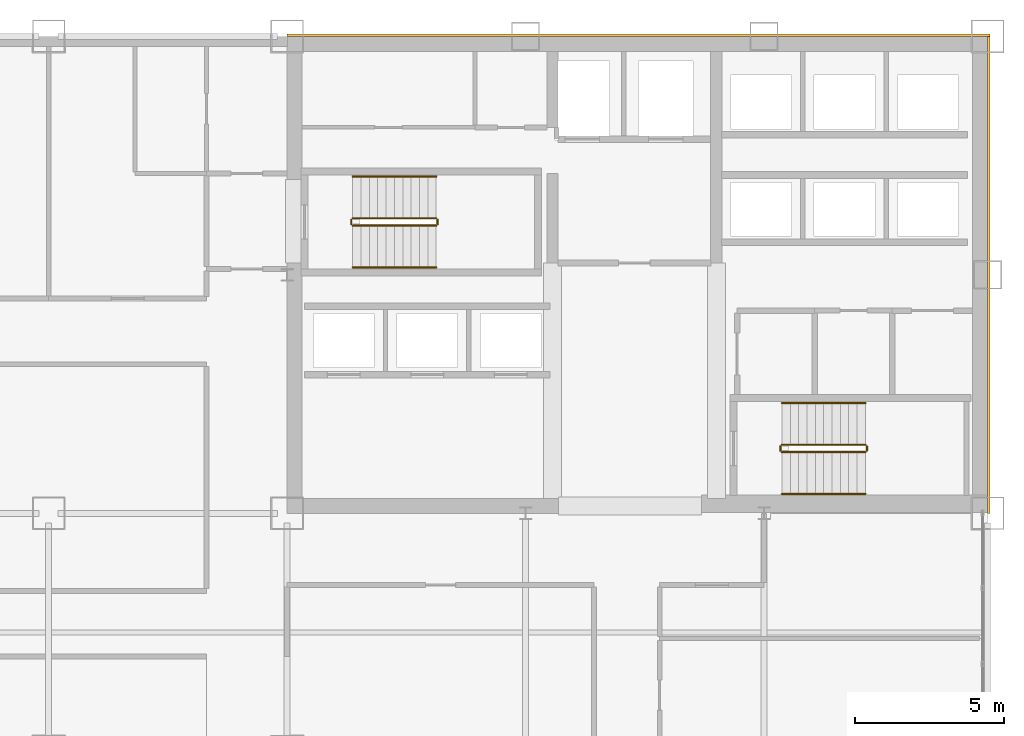
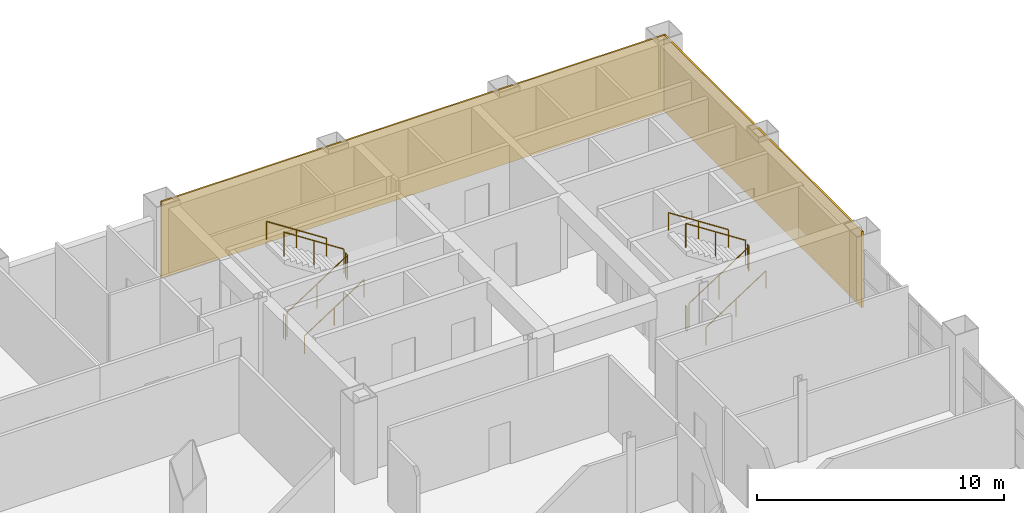
# One storey, part 16 of 16: 12 railings, 2 coverings.
"""IFC4 building model written with IfcOpenShell, lengths in metres."""

from ifc_helpers import new_model, si_unit, direction, frame, origin, origin_2d, place, context, subcontext, project, spatial, rectangle, circle, extrude, material, layer, layer_set, type_object, element, save


model = new_model("IFC4")

# Units and contexts
model_context = context("Model", 3, precision=1e-05, world=origin(), true_north=direction((0.0, 1.0)))
body_context = subcontext(model_context, "Body", "Model", "MODEL_VIEW")
ifc_project = project(units=[si_unit("LENGTHUNIT", "METRE"), si_unit("AREAUNIT", "SQUARE_METRE"), si_unit("VOLUMEUNIT", "CUBIC_METRE"), si_unit("PLANEANGLEUNIT", "RADIAN"), si_unit("MASSUNIT", "GRAM", prefix="KILO")], contexts=[model_context])

# Site, building, storey
site_placement = place(None, origin())
site = spatial("IfcSite", under=ifc_project, at=site_placement, CompositionType="ELEMENT")
building_placement = place(site_placement, origin())
building = spatial("IfcBuilding", under=site, at=building_placement, Name="Qianrong Seaharbour Tower", CompositionType="ELEMENT")
storey_placement = place(building_placement, frame((0.0, 0.0, 127.0)))
storey = spatial("IfcBuildingStorey", under=building, at=storey_placement, Name="L30", CompositionType="ELEMENT", Elevation=127.0)

# Coverings
ifc_material_1 = material(Name="Unitised red brick cladding on Precast concrete C45/55", Category="masonry")
ifc_layer = layer(ifc_material_1, 0.080078125)
ifc_layer_set = layer_set([ifc_layer], Name="Unitised red brick cladding on Precast concrete C45/55")
covering_type = type_object("IfcCoveringType", Name="COV-CLAD-RED-BRICK-80", PredefinedType="CLADDING", material=ifc_layer_set)
covering_1_placement = place(storey_placement, frame((52.2900390625, 52.0400390625, 0.0), z_axis=(0.0, 0.0, 1.0), x_axis=(1.0, 0.0, 0.0)))
element("IfcCovering", 1, at=covering_1_placement, inside=storey, type_object=covering_type, Name="L30 North Core Brick Veneer Cladding", PredefinedType="CLADDING", context=body_context, shape_type="SweptSolid", body=[
    extrude(rectangle(XDim=23.580078125, YDim=0.080078125, at=origin_2d()), origin(), (0.0, 0.0, 1.0), 3.764892578125),
])
covering_2_placement = place(storey_placement, frame((64.0400390625, 44.0, 0.0), z_axis=(0.0, 0.0, 1.0), x_axis=(1.0, 0.0, 0.0)))
element("IfcCovering", 2, at=covering_2_placement, inside=storey, type_object=covering_type, Name="L30 East Core Brick Veneer Cladding", PredefinedType="CLADDING", context=body_context, shape_type="SweptSolid", body=[
    extrude(rectangle(XDim=0.080078125, YDim=16.0, at=origin_2d()), origin(), (0.0, 0.0, 1.0), 3.764892578125),
])

# Railings
ifc_material_2 = material(Name="Galvanized painted steel SN400B stair guard", Category="steel")
railing_type_1 = type_object("IfcRailingType", Name="RAIL-STAIR-GUARD-1220", PredefinedType="GUARDRAIL", material=ifc_material_2)
railing_1_placement = place(storey_placement, frame((42.699951171875, 45.64990234375, 0.181884765625)))
element("IfcRailing", 3, at=railing_1_placement, inside=storey, type_object=railing_type_1, Name="L30 ST-1 stair guard 1", PredefinedType="GUARDRAIL", context=body_context, shape_type="SweptSolid", body=[
    extrude(circle(Radius=0.02392578125, at=origin_2d()), frame((0.0, 0.0, 1.19580078125), z_axis=(0.838705829183, 0.0, 0.544584733623), x_axis=(0.0, 1.0, 0.0)), (0.0, 0.0, 1.0), 3.338623046875),
    extrude(circle(Radius=0.02099609375, at=origin_2d()), origin(), (0.0, 0.0, 1.0), 1.171875),
    extrude(circle(Radius=0.02099609375, at=origin_2d()), frame((1.39990234375, 0.0, 0.9091796875)), (0.0, 0.0, 1.0), 1.171875),
    extrude(circle(Radius=0.02099609375, at=origin_2d()), frame((2.800048828125, 0.0, 1.818115234375)), (0.0, 0.0, 1.0), 1.171875),
])
railing_2_placement = place(storey_placement, frame((45.550048828125, 45.699951171875, 2.0)))
element("IfcRailing", 4, at=railing_2_placement, inside=storey, type_object=railing_type_1, Name="L30 ST-1 stair guard 2", PredefinedType="GUARDRAIL", context=body_context, shape_type="SweptSolid", body=[
    extrude(circle(Radius=0.02392578125, at=origin_2d()), frame((0.0, 0.0, 1.19580078125), z_axis=(0.0, 1.0, 0.0), x_axis=(-1.0, 0.0, 0.0)), (0.0, 0.0, 1.0), 0.150146484375),
    extrude(circle(Radius=0.02099609375, at=origin_2d()), origin(), (0.0, 0.0, 1.0), 1.171875),
    extrude(circle(Radius=0.02099609375, at=origin_2d()), frame((0.0, 0.150146484375, 0.0)), (0.0, 0.0, 1.0), 1.171875),
])
railing_3_placement = place(storey_placement, frame((45.5, 45.89990234375, 2.181884765625)))
element("IfcRailing", 5, at=railing_3_placement, inside=storey, type_object=railing_type_1, Name="L30 ST-1 stair guard 3", PredefinedType="GUARDRAIL", context=body_context, shape_type="SweptSolid", body=[
    extrude(circle(Radius=0.02392578125, at=origin_2d()), frame((0.0, 0.0, 1.19580078125), z_axis=(-0.838705829183, 0.0, 0.544584733623), x_axis=(0.0, -1.0, 0.0)), (0.0, 0.0, 1.0), 3.338623046875),
    extrude(circle(Radius=0.02099609375, at=origin_2d()), origin(), (0.0, 0.0, 1.0), 1.171875),
    extrude(circle(Radius=0.02099609375, at=origin_2d()), frame((-1.39990234375, 0.0, 0.9091796875)), (0.0, 0.0, 1.0), 1.171875),
    extrude(circle(Radius=0.02099609375, at=origin_2d()), frame((-2.800048828125, 0.0, 1.818115234375)), (0.0, 0.0, 1.0), 1.171875),
])
railing_4_placement = place(storey_placement, frame((42.64990234375, 45.699951171875, 0.0)))
element("IfcRailing", 6, at=railing_4_placement, inside=storey, type_object=railing_type_1, Name="L30 ST-1 stair guard 4", PredefinedType="GUARDRAIL", context=body_context, shape_type="SweptSolid", body=[
    extrude(circle(Radius=0.02392578125, at=origin_2d()), frame((0.0, 0.0, 1.19580078125), z_axis=(0.0, 1.0, 0.0), x_axis=(-1.0, 0.0, 0.0)), (0.0, 0.0, 1.0), 0.150146484375),
    extrude(circle(Radius=0.02099609375, at=origin_2d()), origin(), (0.0, 0.0, 1.0), 1.171875),
    extrude(circle(Radius=0.02099609375, at=origin_2d()), frame((0.0, 0.150146484375, 0.0)), (0.0, 0.0, 1.0), 1.171875),
])
railing_5_placement = place(storey_placement, frame((57.10009765625, 38.050048828125, 0.181884765625)))
element("IfcRailing", 7, at=railing_5_placement, inside=storey, type_object=railing_type_1, Name="L30 ST-2 stair guard 1", PredefinedType="GUARDRAIL", context=body_context, shape_type="SweptSolid", body=[
    extrude(circle(Radius=0.02392578125, at=origin_2d()), frame((0.0, 0.0, 1.19580078125), z_axis=(0.83868413941, 0.0, 0.544618136222), x_axis=(0.0, 1.0, 0.0)), (0.0, 0.0, 1.0), 3.33837890625),
    extrude(circle(Radius=0.02099609375, at=origin_2d()), origin(), (0.0, 0.0, 1.0), 1.171875),
    extrude(circle(Radius=0.02099609375, at=origin_2d()), frame((1.39990234375, 0.0, 0.9091796875)), (0.0, 0.0, 1.0), 1.171875),
    extrude(circle(Radius=0.02099609375, at=origin_2d()), frame((2.7998046875, 0.0, 1.818115234375)), (0.0, 0.0, 1.0), 1.171875),
])
railing_6_placement = place(storey_placement, frame((59.949951171875, 38.10009765625, 2.0)))
element("IfcRailing", 8, at=railing_6_placement, inside=storey, type_object=railing_type_1, Name="L30 ST-2 stair guard 2", PredefinedType="GUARDRAIL", context=body_context, shape_type="SweptSolid", body=[
    extrude(circle(Radius=0.02392578125, at=origin_2d()), frame((0.0, 0.0, 1.19580078125), z_axis=(0.0, 1.0, 0.0), x_axis=(-1.0, 0.0, 0.0)), (0.0, 0.0, 1.0), 0.14990234375),
    extrude(circle(Radius=0.02099609375, at=origin_2d()), origin(), (0.0, 0.0, 1.0), 1.171875),
    extrude(circle(Radius=0.02099609375, at=origin_2d()), frame((0.0, 0.14990234375, 0.0)), (0.0, 0.0, 1.0), 1.171875),
])
railing_7_placement = place(storey_placement, frame((59.89990234375, 38.300048828125, 2.181884765625)))
element("IfcRailing", 9, at=railing_7_placement, inside=storey, type_object=railing_type_1, Name="L30 ST-2 stair guard 3", PredefinedType="GUARDRAIL", context=body_context, shape_type="SweptSolid", body=[
    extrude(circle(Radius=0.02392578125, at=origin_2d()), frame((0.0, 0.0, 1.19580078125), z_axis=(-0.83868413941, 0.0, 0.544618136222), x_axis=(0.0, -1.0, 0.0)), (0.0, 0.0, 1.0), 3.33837890625),
    extrude(circle(Radius=0.02099609375, at=origin_2d()), origin(), (0.0, 0.0, 1.0), 1.171875),
    extrude(circle(Radius=0.02099609375, at=origin_2d()), frame((-1.39990234375, 0.0, 0.9091796875)), (0.0, 0.0, 1.0), 1.171875),
    extrude(circle(Radius=0.02099609375, at=origin_2d()), frame((-2.7998046875, 0.0, 1.818115234375)), (0.0, 0.0, 1.0), 1.171875),
])
railing_8_placement = place(storey_placement, frame((57.050048828125, 38.10009765625, 0.0)))
element("IfcRailing", 10, at=railing_8_placement, inside=storey, type_object=railing_type_1, Name="L30 ST-2 stair guard 4", PredefinedType="GUARDRAIL", context=body_context, shape_type="SweptSolid", body=[
    extrude(circle(Radius=0.02392578125, at=origin_2d()), frame((0.0, 0.0, 1.19580078125), z_axis=(0.0, 1.0, 0.0), x_axis=(-1.0, 0.0, 0.0)), (0.0, 0.0, 1.0), 0.14990234375),
    extrude(circle(Radius=0.02099609375, at=origin_2d()), origin(), (0.0, 0.0, 1.0), 1.171875),
    extrude(circle(Radius=0.02099609375, at=origin_2d()), frame((0.0, 0.14990234375, 0.0)), (0.0, 0.0, 1.0), 1.171875),
])
ifc_material_3 = material(Name="Stainless steel SUS316L continuous handrail", Category="steel")
railing_type_2 = type_object("IfcRailingType", Name="RAIL-STAIR-HANDRAIL-900", PredefinedType="HANDRAIL", material=ifc_material_3)
railing_9_placement = place(storey_placement, frame((42.699951171875, 44.25, 0.181884765625)))
element("IfcRailing", 11, at=railing_9_placement, inside=storey, type_object=railing_type_2, Name="L30 ST-1 stair handrail 1", PredefinedType="HANDRAIL", context=body_context, shape_type="SweptSolid", body=[
    extrude(circle(Radius=0.02392578125, at=origin_2d()), frame((0.0, 0.0, 0.8759765625), z_axis=(0.838705829183, 0.0, 0.544584733623), x_axis=(0.0, 1.0, 0.0)), (0.0, 0.0, 1.0), 3.338623046875),
    extrude(circle(Radius=0.02099609375, at=origin_2d()), origin(), (0.0, 0.0, 1.0), 0.851806640625),
    extrude(circle(Radius=0.02099609375, at=origin_2d()), frame((1.39990234375, 0.0, 0.9091796875)), (0.0, 0.0, 1.0), 0.851806640625),
    extrude(circle(Radius=0.02099609375, at=origin_2d()), frame((2.800048828125, 0.0, 1.818115234375)), (0.0, 0.0, 1.0), 0.851806640625),
])
railing_10_placement = place(storey_placement, frame((45.5, 47.300048828125, 2.181884765625)))
element("IfcRailing", 12, at=railing_10_placement, inside=storey, type_object=railing_type_2, Name="L30 ST-1 stair handrail 2", PredefinedType="HANDRAIL", context=body_context, shape_type="SweptSolid", body=[
    extrude(circle(Radius=0.02392578125, at=origin_2d()), frame((0.0, 0.0, 0.8759765625), z_axis=(-0.838705829183, 0.0, 0.544584733623), x_axis=(0.0, -1.0, 0.0)), (0.0, 0.0, 1.0), 3.338623046875),
    extrude(circle(Radius=0.02099609375, at=origin_2d()), origin(), (0.0, 0.0, 1.0), 0.851806640625),
    extrude(circle(Radius=0.02099609375, at=origin_2d()), frame((-1.39990234375, 0.0, 0.9091796875)), (0.0, 0.0, 1.0), 0.851806640625),
    extrude(circle(Radius=0.02099609375, at=origin_2d()), frame((-2.800048828125, 0.0, 1.818115234375)), (0.0, 0.0, 1.0), 0.851806640625),
])
railing_11_placement = place(storey_placement, frame((57.10009765625, 36.64990234375, 0.181884765625)))
element("IfcRailing", 13, at=railing_11_placement, inside=storey, type_object=railing_type_2, Name="L30 ST-2 stair handrail 1", PredefinedType="HANDRAIL", context=body_context, shape_type="SweptSolid", body=[
    extrude(circle(Radius=0.02392578125, at=origin_2d()), frame((0.0, 0.0, 0.8759765625), z_axis=(0.83868413941, 0.0, 0.544618136222), x_axis=(0.0, 1.0, 0.0)), (0.0, 0.0, 1.0), 3.33837890625),
    extrude(circle(Radius=0.02099609375, at=origin_2d()), origin(), (0.0, 0.0, 1.0), 0.851806640625),
    extrude(circle(Radius=0.02099609375, at=origin_2d()), frame((1.39990234375, 0.0, 0.9091796875)), (0.0, 0.0, 1.0), 0.851806640625),
    extrude(circle(Radius=0.02099609375, at=origin_2d()), frame((2.7998046875, 0.0, 1.818115234375)), (0.0, 0.0, 1.0), 0.851806640625),
])
railing_12_placement = place(storey_placement, frame((59.89990234375, 39.699951171875, 2.181884765625)))
element("IfcRailing", 14, at=railing_12_placement, inside=storey, type_object=railing_type_2, Name="L30 ST-2 stair handrail 2", PredefinedType="HANDRAIL", context=body_context, shape_type="SweptSolid", body=[
    extrude(circle(Radius=0.02392578125, at=origin_2d()), frame((0.0, 0.0, 0.8759765625), z_axis=(-0.83868413941, 0.0, 0.544618136222), x_axis=(0.0, -1.0, 0.0)), (0.0, 0.0, 1.0), 3.33837890625),
    extrude(circle(Radius=0.02099609375, at=origin_2d()), origin(), (0.0, 0.0, 1.0), 0.851806640625),
    extrude(circle(Radius=0.02099609375, at=origin_2d()), frame((-1.39990234375, 0.0, 0.9091796875)), (0.0, 0.0, 1.0), 0.851806640625),
    extrude(circle(Radius=0.02099609375, at=origin_2d()), frame((-2.7998046875, 0.0, 1.818115234375)), (0.0, 0.0, 1.0), 0.851806640625),
])

save(model, "model.ifc")
